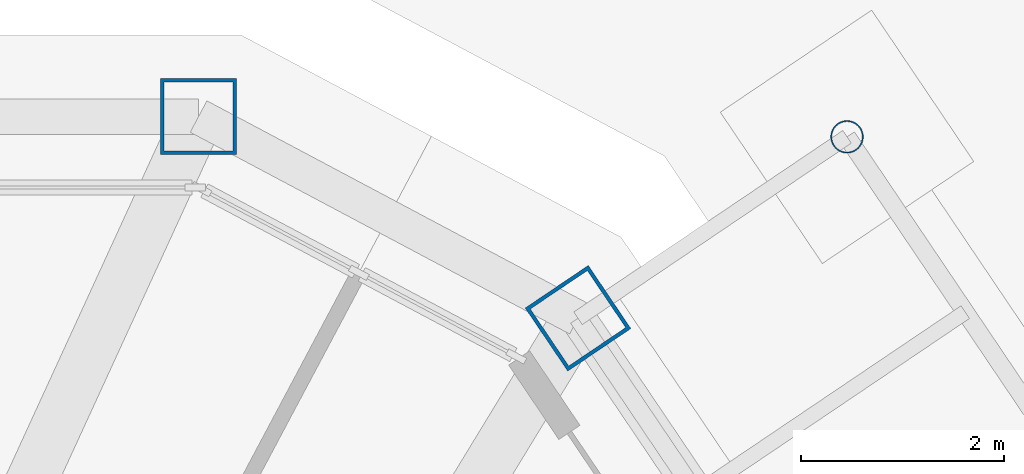
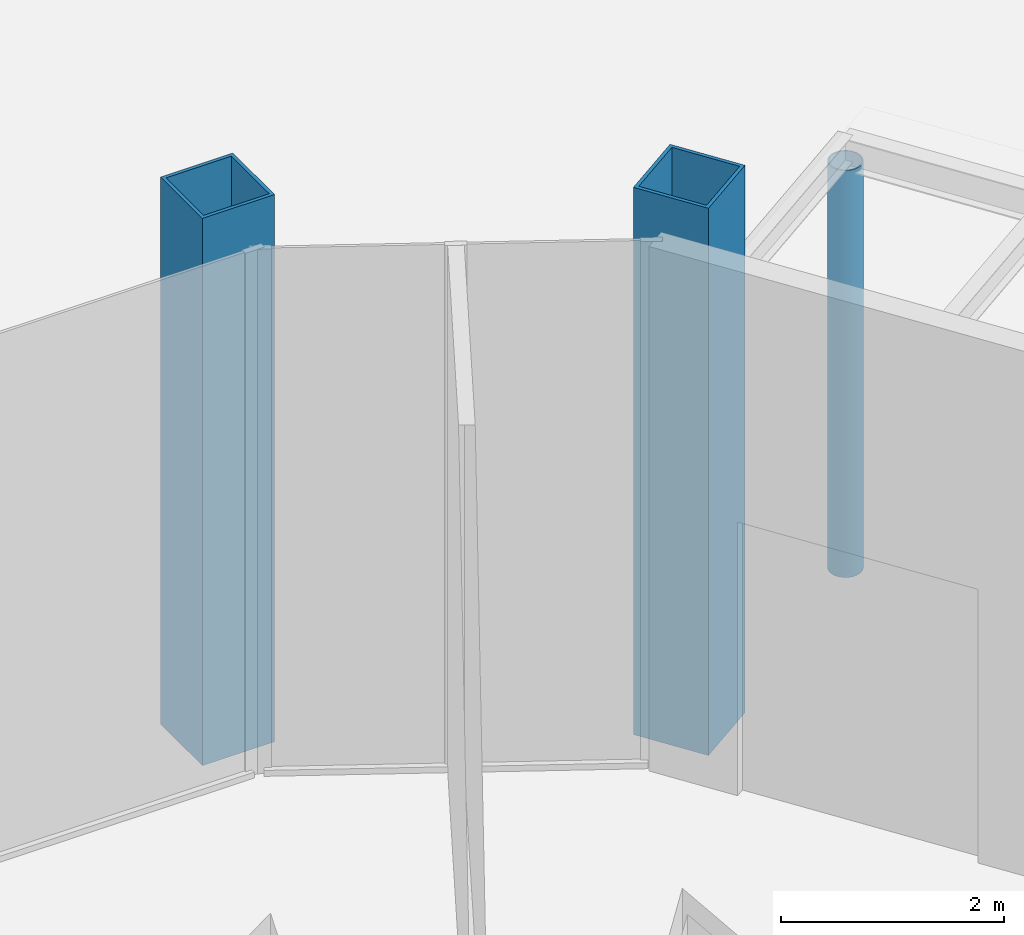
# One storey, part 10 of 45: 3 columns.
"""IFC4 building model written with IfcOpenShell, lengths in metres."""

from ifc_helpers import new_model, si_unit, direction, frame, origin, origin_2d, place, context, subcontext, project, spatial, hollow_rectangle, hollow_circle, extrude, material, material_profile, profile_set, type_object, element, save


model = new_model("IFC4")

# Units and contexts
model_context = context("Model", 3, precision=1e-05, world=origin(), true_north=direction((0.0, 1.0)))
body_context = subcontext(model_context, "Body", "Model", "MODEL_VIEW")
ifc_project = project(units=[si_unit("LENGTHUNIT", "METRE"), si_unit("AREAUNIT", "SQUARE_METRE"), si_unit("VOLUMEUNIT", "CUBIC_METRE"), si_unit("PLANEANGLEUNIT", "RADIAN"), si_unit("MASSUNIT", "GRAM", prefix="KILO")], contexts=[model_context])

# Site, building, storey
site_placement = place(None, origin())
site = spatial("IfcSite", under=ifc_project, at=site_placement, CompositionType="ELEMENT")
building_placement = place(site_placement, origin())
building = spatial("IfcBuilding", under=site, at=building_placement, Name="Qingtian Harvest Tower", CompositionType="ELEMENT")
storey_placement = place(building_placement, origin())
storey = spatial("IfcBuildingStorey", under=building, at=storey_placement, Name="L00", CompositionType="ELEMENT", Elevation=0.0)

# Columns
ifc_material_1 = material(Name="Steel SN490B", Category="steel")
ifc_material_profile_1 = material_profile(ifc_material_1, hollow_circle(Radius=0.161865234375, WallThickness=0.012451171875, at=origin_2d()), Name="CHS324x12.5")
ifc_profile_set_1 = profile_set([ifc_material_profile_1], Name="Steel SN490B")
column_type_1 = type_object("IfcColumnType", Name="Canopy column CC1 CHS324x12.5", PredefinedType="COLUMN", material=ifc_profile_set_1)
column_placement = place(storey_placement, frame((21.54150390625, 32.7998046875, -0.300048828125), z_axis=(0.0, 0.0, 1.0), x_axis=(1.0, 0.0, 0.0)))
element("IfcColumn", 1, at=column_placement, inside=storey, type_object=column_type_1, Name="Canopy column CC1 CN2 0", PredefinedType="COLUMN", context=body_context, shape_type="SweptSolid", body=[
    extrude(hollow_circle(Radius=0.161865234375, WallThickness=0.012451171875, at=origin_2d()), origin(), (0.0, 0.0, 1.0), 4.4599609375),
])
ifc_material_2 = material(Name="Steel SM570MC", Category="steel")
ifc_material_profile_2 = material_profile(ifc_material_2, hollow_rectangle(XDim=0.75, YDim=0.75, WallThickness=0.035888671875, at=origin_2d()), Name="BOX750x750x36")
ifc_profile_set_2 = profile_set([ifc_material_profile_2], Name="Steel SM570MC")
column_type_2 = type_object("IfcColumnType", Name="Podium column PC1 BOX750x750x36", PredefinedType="COLUMN", material=ifc_profile_set_2)
for number, where, z_axis, x_axis, name in (
    (2, (18.888427734375, 31.01025390625, 0.0), (0.0, 0.0, 1.0), (-0.559192903471, 0.829037572555, 0.0), "Podium column PC1 NE0"),
    (3, (15.146484375, 33.0, 0.0), (0.0, 0.0, 1.0), (-1.0, 0.0, 0.0), "Podium column PC1 N4"),
):
    element("IfcColumn", number, at=place(storey_placement, frame(where, z_axis=z_axis, x_axis=x_axis)), inside=storey, type_object=column_type_2, Name=name, PredefinedType="COLUMN", context=body_context, shape_type="SweptSolid", body=[
        extrude(hollow_rectangle(XDim=0.75, YDim=0.75, WallThickness=0.035888671875, at=origin_2d()), origin(), (0.0, 0.0, 1.0), 6.0),
    ])

save(model, "model.ifc")
